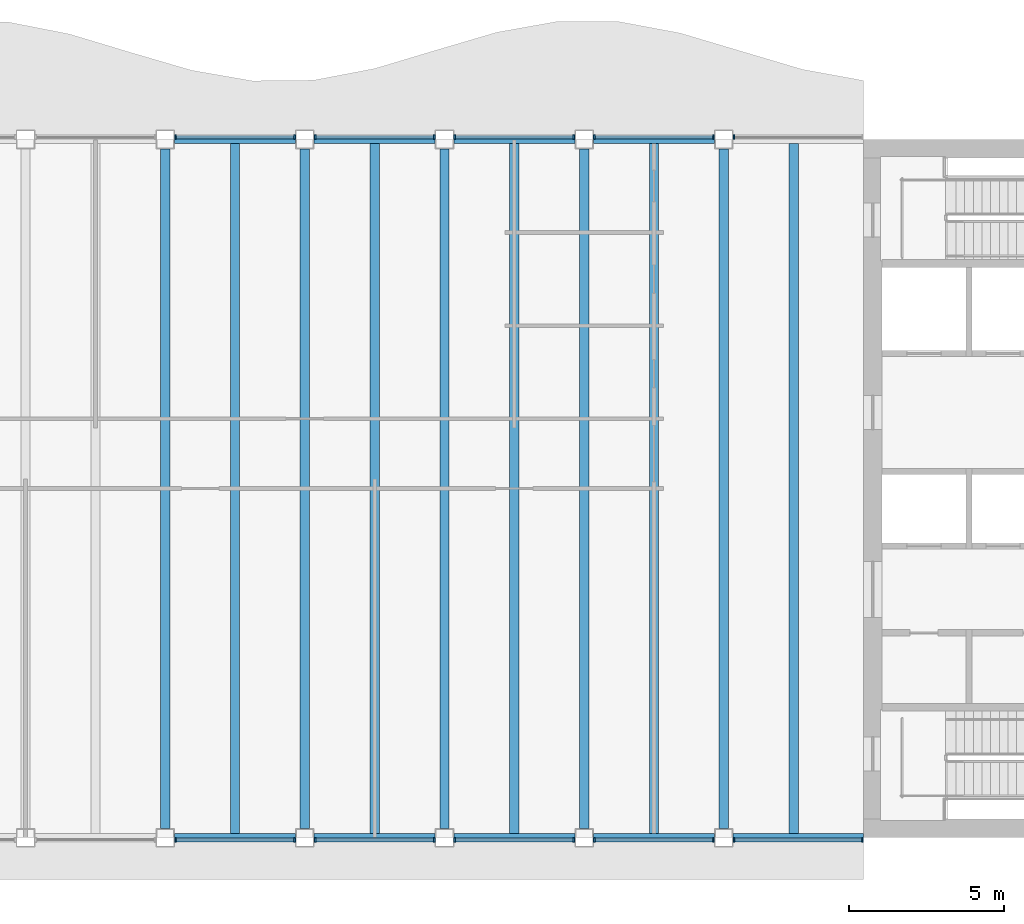
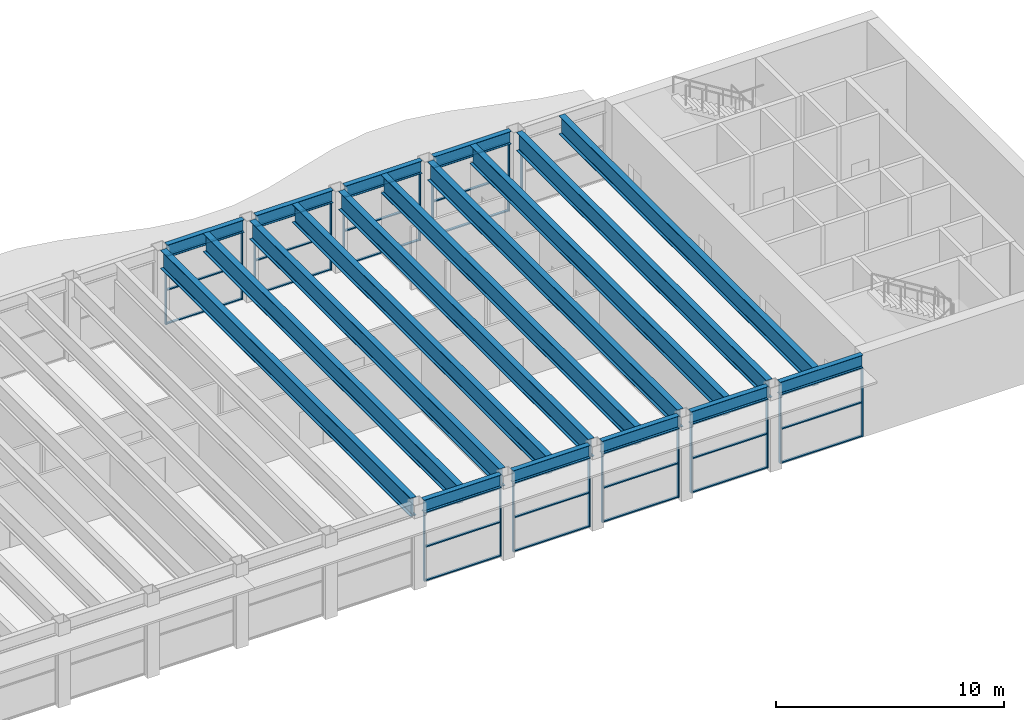
# One storey, part 5 of 15: 46 members, 19 beams, 10 elements without a shape of their own.
"""IFC4 building model written with IfcOpenShell, lengths in metres."""

from ifc_helpers import new_model, si_unit, direction, frame, origin, origin_2d, place, context, subcontext, project, spatial, rectangle, i_section, extrude, material, material_profile, profile_set, type_object, element, aggregate, save


model = new_model("IFC4")

# Units and contexts
model_context = context("Model", 3, precision=1e-05, world=origin(), true_north=direction((0.0, 1.0)))
body_context = subcontext(model_context, "Body", "Model", "MODEL_VIEW")
ifc_project = project(units=[si_unit("LENGTHUNIT", "METRE"), si_unit("AREAUNIT", "SQUARE_METRE"), si_unit("VOLUMEUNIT", "CUBIC_METRE"), si_unit("PLANEANGLEUNIT", "RADIAN"), si_unit("MASSUNIT", "GRAM", prefix="KILO")], contexts=[model_context])

# Site, building, storey
site_placement = place(None, origin())
site = spatial("IfcSite", under=ifc_project, at=site_placement, CompositionType="ELEMENT")
building_placement = place(site_placement, origin())
building = spatial("IfcBuilding", under=site, at=building_placement, Name="Sennacour Bend Tower", CompositionType="ELEMENT")
storey_placement = place(building_placement, frame((0.0, 0.0, 323.0)))
storey = spatial("IfcBuildingStorey", under=building, at=storey_placement, Name="L74", CompositionType="ELEMENT", Elevation=323.0)

# Curtain wall, members
ifc_material_1 = material(Name="Bronze anodised aluminium curtain wall with clear glass", Category="aluminium")
curtain_wall_type = type_object("IfcCurtainWallType", Name="CURTAIN WALL EXEC", PredefinedType="NOTDEFINED", material=ifc_material_1)
curtain_wall_1_placement = place(storey_placement, origin())
curtain_wall_1 = element("IfcCurtainWall", 1, at=curtain_wall_1_placement, inside=storey, type_object=curtain_wall_type, Name="Executive floor glass wall L74", PredefinedType="NOTDEFINED")
ifc_material_2 = material(Name="Aluminium 6063-T6", Category="aluminium")
ifc_material_profile_1 = material_profile(ifc_material_2, rectangle(XDim=0.14990234375, YDim=0.06005859375, at=origin_2d()), Name="Aluminium 6063-T6", Category="aluminium")
ifc_profile_set_1 = profile_set([ifc_material_profile_1], Name="Aluminium 6063-T6")
member_type_1 = type_object("IfcMemberType", Name="CW-MULLION-150X60", PredefinedType="MULLION", material=ifc_profile_set_1)
member_1_placement = place(storey_placement, frame((31.830078125, -0.074951171875, 0.0), z_axis=(0.0, 0.0, 1.0), x_axis=(0.0, 1.0, 0.0)))
member_1 = element("IfcMember", 2, at=member_1_placement, type_object=member_type_1, Name="GW3 curtain wall mullion 1", PredefinedType="MULLION", context=body_context, shape_type="SweptSolid", body=[
    extrude(rectangle(XDim=0.14990234375, YDim=0.06005859375, at=origin_2d()), origin(), (0.0, 0.0, 1.0), 3.672119140625),
])
member_2_placement = place(storey_placement, frame((35.669921875, -0.074951171875, 0.0), z_axis=(0.0, 0.0, 1.0), x_axis=(0.0, 1.0, 0.0)))
member_2 = element("IfcMember", 3, at=member_2_placement, type_object=member_type_1, Name="GW3 curtain wall mullion 2", PredefinedType="MULLION", context=body_context, shape_type="SweptSolid", body=[
    extrude(rectangle(XDim=0.14990234375, YDim=0.06005859375, at=origin_2d()), origin(), (0.0, 0.0, 1.0), 3.672119140625),
])

curtain_wall_2_placement = place(storey_placement, origin())
curtain_wall_2 = element("IfcCurtainWall", 4, at=curtain_wall_2_placement, inside=storey, type_object=curtain_wall_type, Name="Executive floor glass wall L74", PredefinedType="NOTDEFINED")
member_3_placement = place(storey_placement, frame((36.330078125, -0.074951171875, 0.0), z_axis=(0.0, 0.0, 1.0), x_axis=(0.0, 1.0, 0.0)))
member_3 = element("IfcMember", 5, at=member_3_placement, type_object=member_type_1, Name="GW3 curtain wall mullion 1", PredefinedType="MULLION", context=body_context, shape_type="SweptSolid", body=[
    extrude(rectangle(XDim=0.14990234375, YDim=0.06005859375, at=origin_2d()), origin(), (0.0, 0.0, 1.0), 3.672119140625),
])
member_4_placement = place(storey_placement, frame((40.169921875, -0.074951171875, 0.0), z_axis=(0.0, 0.0, 1.0), x_axis=(0.0, 1.0, 0.0)))
member_4 = element("IfcMember", 6, at=member_4_placement, type_object=member_type_1, Name="GW3 curtain wall mullion 2", PredefinedType="MULLION", context=body_context, shape_type="SweptSolid", body=[
    extrude(rectangle(XDim=0.14990234375, YDim=0.06005859375, at=origin_2d()), origin(), (0.0, 0.0, 1.0), 3.672119140625),
])

curtain_wall_3_placement = place(storey_placement, origin())
curtain_wall_3 = element("IfcCurtainWall", 7, at=curtain_wall_3_placement, inside=storey, type_object=curtain_wall_type, Name="Executive floor glass wall L74", PredefinedType="NOTDEFINED")
member_5_placement = place(storey_placement, frame((40.830078125, -0.074951171875, 0.0), z_axis=(0.0, 0.0, 1.0), x_axis=(0.0, 1.0, 0.0)))
member_5 = element("IfcMember", 8, at=member_5_placement, type_object=member_type_1, Name="GW3 curtain wall mullion 1", PredefinedType="MULLION", context=body_context, shape_type="SweptSolid", body=[
    extrude(rectangle(XDim=0.14990234375, YDim=0.06005859375, at=origin_2d()), origin(), (0.0, 0.0, 1.0), 3.672119140625),
])
member_6_placement = place(storey_placement, frame((44.669921875, -0.074951171875, 0.0), z_axis=(0.0, 0.0, 1.0), x_axis=(0.0, 1.0, 0.0)))
member_6 = element("IfcMember", 9, at=member_6_placement, type_object=member_type_1, Name="GW3 curtain wall mullion 2", PredefinedType="MULLION", context=body_context, shape_type="SweptSolid", body=[
    extrude(rectangle(XDim=0.14990234375, YDim=0.06005859375, at=origin_2d()), origin(), (0.0, 0.0, 1.0), 3.672119140625),
])

curtain_wall_4_placement = place(storey_placement, origin())
curtain_wall_4 = element("IfcCurtainWall", 10, at=curtain_wall_4_placement, inside=storey, type_object=curtain_wall_type, Name="Executive floor glass wall L74", PredefinedType="NOTDEFINED")
member_7_placement = place(storey_placement, frame((45.330078125, -0.074951171875, 0.0), z_axis=(0.0, 0.0, 1.0), x_axis=(0.0, 1.0, 0.0)))
member_7 = element("IfcMember", 11, at=member_7_placement, type_object=member_type_1, Name="GW3 curtain wall mullion 1", PredefinedType="MULLION", context=body_context, shape_type="SweptSolid", body=[
    extrude(rectangle(XDim=0.14990234375, YDim=0.06005859375, at=origin_2d()), origin(), (0.0, 0.0, 1.0), 3.672119140625),
])
member_8_placement = place(storey_placement, frame((49.169921875, -0.074951171875, 0.0), z_axis=(0.0, 0.0, 1.0), x_axis=(0.0, 1.0, 0.0)))
member_8 = element("IfcMember", 12, at=member_8_placement, type_object=member_type_1, Name="GW3 curtain wall mullion 2", PredefinedType="MULLION", context=body_context, shape_type="SweptSolid", body=[
    extrude(rectangle(XDim=0.14990234375, YDim=0.06005859375, at=origin_2d()), origin(), (0.0, 0.0, 1.0), 3.672119140625),
])

curtain_wall_5_placement = place(storey_placement, origin())
curtain_wall_5 = element("IfcCurtainWall", 13, at=curtain_wall_5_placement, inside=storey, type_object=curtain_wall_type, Name="Executive floor glass wall L74", PredefinedType="NOTDEFINED")
member_9_placement = place(storey_placement, frame((49.830078125, -0.074951171875, 0.0), z_axis=(0.0, 0.0, 1.0), x_axis=(0.0, 1.0, 0.0)))
member_9 = element("IfcMember", 14, at=member_9_placement, type_object=member_type_1, Name="GW3 curtain wall mullion 1", PredefinedType="MULLION", context=body_context, shape_type="SweptSolid", body=[
    extrude(rectangle(XDim=0.14990234375, YDim=0.06005859375, at=origin_2d()), origin(), (0.0, 0.0, 1.0), 3.672119140625),
])
member_10_placement = place(storey_placement, frame((53.969970703125, -0.074951171875, 0.0), z_axis=(0.0, 0.0, 1.0), x_axis=(0.0, 1.0, 0.0)))
member_10 = element("IfcMember", 15, at=member_10_placement, type_object=member_type_1, Name="GW3 curtain wall mullion 2", PredefinedType="MULLION", context=body_context, shape_type="SweptSolid", body=[
    extrude(rectangle(XDim=0.14990234375, YDim=0.06005859375, at=origin_2d()), origin(), (0.0, 0.0, 1.0), 3.672119140625),
])

# Curtain wall, member
curtain_wall_6_placement = place(storey_placement, origin())
curtain_wall_6 = element("IfcCurtainWall", 16, at=curtain_wall_6_placement, inside=storey, type_object=curtain_wall_type, Name="Executive floor glass wall L74", PredefinedType="NOTDEFINED")
member_11_placement = place(storey_placement, frame((49.830078125, 22.574951171875, 0.0), z_axis=(0.0, 0.0, 1.0), x_axis=(0.0, -1.0, 0.0)))
member_11 = element("IfcMember", 17, at=member_11_placement, type_object=member_type_1, Name="GW3 curtain wall mullion 2", PredefinedType="MULLION", context=body_context, shape_type="SweptSolid", body=[
    extrude(rectangle(XDim=0.14990234375, YDim=0.06005859375, at=origin_2d()), origin(), (0.0, 0.0, 1.0), 3.672119140625),
])
aggregate(curtain_wall_6, [member_11])

# Curtain wall, members
curtain_wall_7_placement = place(storey_placement, origin())
curtain_wall_7 = element("IfcCurtainWall", 18, at=curtain_wall_7_placement, inside=storey, type_object=curtain_wall_type, Name="Executive floor glass wall L74", PredefinedType="NOTDEFINED")
member_12_placement = place(storey_placement, frame((49.169921875, 22.574951171875, 0.0), z_axis=(0.0, 0.0, 1.0), x_axis=(0.0, -1.0, 0.0)))
member_12 = element("IfcMember", 19, at=member_12_placement, type_object=member_type_1, Name="GW3 curtain wall mullion 1", PredefinedType="MULLION", context=body_context, shape_type="SweptSolid", body=[
    extrude(rectangle(XDim=0.14990234375, YDim=0.06005859375, at=origin_2d()), origin(), (0.0, 0.0, 1.0), 3.672119140625),
])
member_13_placement = place(storey_placement, frame((45.330078125, 22.574951171875, 0.0), z_axis=(0.0, 0.0, 1.0), x_axis=(0.0, -1.0, 0.0)))
member_13 = element("IfcMember", 20, at=member_13_placement, type_object=member_type_1, Name="GW3 curtain wall mullion 2", PredefinedType="MULLION", context=body_context, shape_type="SweptSolid", body=[
    extrude(rectangle(XDim=0.14990234375, YDim=0.06005859375, at=origin_2d()), origin(), (0.0, 0.0, 1.0), 3.672119140625),
])

curtain_wall_8_placement = place(storey_placement, origin())
curtain_wall_8 = element("IfcCurtainWall", 21, at=curtain_wall_8_placement, inside=storey, type_object=curtain_wall_type, Name="Executive floor glass wall L74", PredefinedType="NOTDEFINED")
member_14_placement = place(storey_placement, frame((44.669921875, 22.574951171875, 0.0), z_axis=(0.0, 0.0, 1.0), x_axis=(0.0, -1.0, 0.0)))
member_14 = element("IfcMember", 22, at=member_14_placement, type_object=member_type_1, Name="GW3 curtain wall mullion 1", PredefinedType="MULLION", context=body_context, shape_type="SweptSolid", body=[
    extrude(rectangle(XDim=0.14990234375, YDim=0.06005859375, at=origin_2d()), origin(), (0.0, 0.0, 1.0), 3.672119140625),
])
member_15_placement = place(storey_placement, frame((40.830078125, 22.574951171875, 0.0), z_axis=(0.0, 0.0, 1.0), x_axis=(0.0, -1.0, 0.0)))
member_15 = element("IfcMember", 23, at=member_15_placement, type_object=member_type_1, Name="GW3 curtain wall mullion 2", PredefinedType="MULLION", context=body_context, shape_type="SweptSolid", body=[
    extrude(rectangle(XDim=0.14990234375, YDim=0.06005859375, at=origin_2d()), origin(), (0.0, 0.0, 1.0), 3.672119140625),
])

curtain_wall_9_placement = place(storey_placement, origin())
curtain_wall_9 = element("IfcCurtainWall", 24, at=curtain_wall_9_placement, inside=storey, type_object=curtain_wall_type, Name="Executive floor glass wall L74", PredefinedType="NOTDEFINED")
member_16_placement = place(storey_placement, frame((40.169921875, 22.574951171875, 0.0), z_axis=(0.0, 0.0, 1.0), x_axis=(0.0, -1.0, 0.0)))
member_16 = element("IfcMember", 25, at=member_16_placement, type_object=member_type_1, Name="GW3 curtain wall mullion 1", PredefinedType="MULLION", context=body_context, shape_type="SweptSolid", body=[
    extrude(rectangle(XDim=0.14990234375, YDim=0.06005859375, at=origin_2d()), origin(), (0.0, 0.0, 1.0), 3.672119140625),
])
member_17_placement = place(storey_placement, frame((36.330078125, 22.574951171875, 0.0), z_axis=(0.0, 0.0, 1.0), x_axis=(0.0, -1.0, 0.0)))
member_17 = element("IfcMember", 26, at=member_17_placement, type_object=member_type_1, Name="GW3 curtain wall mullion 2", PredefinedType="MULLION", context=body_context, shape_type="SweptSolid", body=[
    extrude(rectangle(XDim=0.14990234375, YDim=0.06005859375, at=origin_2d()), origin(), (0.0, 0.0, 1.0), 3.672119140625),
])

curtain_wall_10_placement = place(storey_placement, origin())
curtain_wall_10 = element("IfcCurtainWall", 27, at=curtain_wall_10_placement, inside=storey, type_object=curtain_wall_type, Name="Executive floor glass wall L74", PredefinedType="NOTDEFINED")
member_18_placement = place(storey_placement, frame((35.669921875, 22.574951171875, 0.0), z_axis=(0.0, 0.0, 1.0), x_axis=(0.0, -1.0, 0.0)))
member_18 = element("IfcMember", 28, at=member_18_placement, type_object=member_type_1, Name="GW3 curtain wall mullion 1", PredefinedType="MULLION", context=body_context, shape_type="SweptSolid", body=[
    extrude(rectangle(XDim=0.14990234375, YDim=0.06005859375, at=origin_2d()), origin(), (0.0, 0.0, 1.0), 3.672119140625),
])
member_19_placement = place(storey_placement, frame((31.830078125, 22.574951171875, 0.0), z_axis=(0.0, 0.0, 1.0), x_axis=(0.0, -1.0, 0.0)))
member_19 = element("IfcMember", 29, at=member_19_placement, type_object=member_type_1, Name="GW3 curtain wall mullion 2", PredefinedType="MULLION", context=body_context, shape_type="SweptSolid", body=[
    extrude(rectangle(XDim=0.14990234375, YDim=0.06005859375, at=origin_2d()), origin(), (0.0, 0.0, 1.0), 3.672119140625),
])

# Member
ifc_material_profile_2 = material_profile(ifc_material_2, rectangle(XDim=0.1201171875, YDim=0.06005859375, at=origin_2d()), Name="Aluminium 6063-T6", Category="aluminium")
ifc_profile_set_2 = profile_set([ifc_material_profile_2], Name="Aluminium 6063-T6")
member_type_2 = type_object("IfcMemberType", Name="CW-TRANSOM-120X60", PredefinedType="USERDEFINED", material=ifc_profile_set_2)
member_20_placement = place(storey_placement, frame((31.860107421875, -0.074951171875, 0.030029296875), z_axis=(1.0, 0.0, 0.0), x_axis=(0.0, 1.0, 0.0)))
member_20 = element("IfcMember", 30, at=member_20_placement, type_object=member_type_2, Name="GW3 curtain wall transom 1.1", ObjectType="TRANSOM", PredefinedType="USERDEFINED", context=body_context, shape_type="SweptSolid", body=[
    extrude(rectangle(XDim=0.1201171875, YDim=0.06005859375, at=origin_2d()), origin(), (0.0, 0.0, 1.0), 3.77978515625),
])

member_21_placement = place(storey_placement, frame((31.860107421875, -0.074951171875, 1.8359375), z_axis=(1.0, 0.0, 0.0), x_axis=(0.0, 1.0, 0.0)))
member_21 = element("IfcMember", 31, at=member_21_placement, type_object=member_type_2, Name="GW3 curtain wall transom 1.2", ObjectType="TRANSOM", PredefinedType="USERDEFINED", context=body_context, shape_type="SweptSolid", body=[
    extrude(rectangle(XDim=0.1201171875, YDim=0.06005859375, at=origin_2d()), origin(), (0.0, 0.0, 1.0), 3.77978515625),
])

member_22_placement = place(storey_placement, frame((31.860107421875, -0.074951171875, 3.64208984375), z_axis=(1.0, 0.0, 0.0), x_axis=(0.0, 1.0, 0.0)))
member_22 = element("IfcMember", 32, at=member_22_placement, type_object=member_type_2, Name="GW3 curtain wall transom 1.3", ObjectType="TRANSOM", PredefinedType="USERDEFINED", context=body_context, shape_type="SweptSolid", body=[
    extrude(rectangle(XDim=0.1201171875, YDim=0.06005859375, at=origin_2d()), origin(), (0.0, 0.0, 1.0), 3.77978515625),
])

aggregate(curtain_wall_1, [member_1, member_2, member_20, member_21, member_22])

member_23_placement = place(storey_placement, frame((36.360107421875, -0.074951171875, 0.030029296875), z_axis=(1.0, 0.0, 0.0), x_axis=(0.0, 1.0, 0.0)))
member_23 = element("IfcMember", 33, at=member_23_placement, type_object=member_type_2, Name="GW3 curtain wall transom 1.1", ObjectType="TRANSOM", PredefinedType="USERDEFINED", context=body_context, shape_type="SweptSolid", body=[
    extrude(rectangle(XDim=0.1201171875, YDim=0.06005859375, at=origin_2d()), origin(), (0.0, 0.0, 1.0), 3.77978515625),
])

member_24_placement = place(storey_placement, frame((36.360107421875, -0.074951171875, 1.8359375), z_axis=(1.0, 0.0, 0.0), x_axis=(0.0, 1.0, 0.0)))
member_24 = element("IfcMember", 34, at=member_24_placement, type_object=member_type_2, Name="GW3 curtain wall transom 1.2", ObjectType="TRANSOM", PredefinedType="USERDEFINED", context=body_context, shape_type="SweptSolid", body=[
    extrude(rectangle(XDim=0.1201171875, YDim=0.06005859375, at=origin_2d()), origin(), (0.0, 0.0, 1.0), 3.77978515625),
])

member_25_placement = place(storey_placement, frame((36.360107421875, -0.074951171875, 3.64208984375), z_axis=(1.0, 0.0, 0.0), x_axis=(0.0, 1.0, 0.0)))
member_25 = element("IfcMember", 35, at=member_25_placement, type_object=member_type_2, Name="GW3 curtain wall transom 1.3", ObjectType="TRANSOM", PredefinedType="USERDEFINED", context=body_context, shape_type="SweptSolid", body=[
    extrude(rectangle(XDim=0.1201171875, YDim=0.06005859375, at=origin_2d()), origin(), (0.0, 0.0, 1.0), 3.77978515625),
])

aggregate(curtain_wall_2, [member_3, member_4, member_23, member_24, member_25])

member_26_placement = place(storey_placement, frame((40.860107421875, -0.074951171875, 0.030029296875), z_axis=(1.0, 0.0, 0.0), x_axis=(0.0, 1.0, 0.0)))
member_26 = element("IfcMember", 36, at=member_26_placement, type_object=member_type_2, Name="GW3 curtain wall transom 1.1", ObjectType="TRANSOM", PredefinedType="USERDEFINED", context=body_context, shape_type="SweptSolid", body=[
    extrude(rectangle(XDim=0.1201171875, YDim=0.06005859375, at=origin_2d()), origin(), (0.0, 0.0, 1.0), 3.77978515625),
])

member_27_placement = place(storey_placement, frame((40.860107421875, -0.074951171875, 1.8359375), z_axis=(1.0, 0.0, 0.0), x_axis=(0.0, 1.0, 0.0)))
member_27 = element("IfcMember", 37, at=member_27_placement, type_object=member_type_2, Name="GW3 curtain wall transom 1.2", ObjectType="TRANSOM", PredefinedType="USERDEFINED", context=body_context, shape_type="SweptSolid", body=[
    extrude(rectangle(XDim=0.1201171875, YDim=0.06005859375, at=origin_2d()), origin(), (0.0, 0.0, 1.0), 3.77978515625),
])

member_28_placement = place(storey_placement, frame((40.860107421875, -0.074951171875, 3.64208984375), z_axis=(1.0, 0.0, 0.0), x_axis=(0.0, 1.0, 0.0)))
member_28 = element("IfcMember", 38, at=member_28_placement, type_object=member_type_2, Name="GW3 curtain wall transom 1.3", ObjectType="TRANSOM", PredefinedType="USERDEFINED", context=body_context, shape_type="SweptSolid", body=[
    extrude(rectangle(XDim=0.1201171875, YDim=0.06005859375, at=origin_2d()), origin(), (0.0, 0.0, 1.0), 3.77978515625),
])

aggregate(curtain_wall_3, [member_5, member_6, member_26, member_27, member_28])

member_29_placement = place(storey_placement, frame((45.360107421875, -0.074951171875, 0.030029296875), z_axis=(1.0, 0.0, 0.0), x_axis=(0.0, 1.0, 0.0)))
member_29 = element("IfcMember", 39, at=member_29_placement, type_object=member_type_2, Name="GW3 curtain wall transom 1.1", ObjectType="TRANSOM", PredefinedType="USERDEFINED", context=body_context, shape_type="SweptSolid", body=[
    extrude(rectangle(XDim=0.1201171875, YDim=0.06005859375, at=origin_2d()), origin(), (0.0, 0.0, 1.0), 3.77978515625),
])

member_30_placement = place(storey_placement, frame((45.360107421875, -0.074951171875, 1.8359375), z_axis=(1.0, 0.0, 0.0), x_axis=(0.0, 1.0, 0.0)))
member_30 = element("IfcMember", 40, at=member_30_placement, type_object=member_type_2, Name="GW3 curtain wall transom 1.2", ObjectType="TRANSOM", PredefinedType="USERDEFINED", context=body_context, shape_type="SweptSolid", body=[
    extrude(rectangle(XDim=0.1201171875, YDim=0.06005859375, at=origin_2d()), origin(), (0.0, 0.0, 1.0), 3.77978515625),
])

member_31_placement = place(storey_placement, frame((45.360107421875, -0.074951171875, 3.64208984375), z_axis=(1.0, 0.0, 0.0), x_axis=(0.0, 1.0, 0.0)))
member_31 = element("IfcMember", 41, at=member_31_placement, type_object=member_type_2, Name="GW3 curtain wall transom 1.3", ObjectType="TRANSOM", PredefinedType="USERDEFINED", context=body_context, shape_type="SweptSolid", body=[
    extrude(rectangle(XDim=0.1201171875, YDim=0.06005859375, at=origin_2d()), origin(), (0.0, 0.0, 1.0), 3.77978515625),
])

aggregate(curtain_wall_4, [member_7, member_8, member_29, member_30, member_31])

member_32_placement = place(storey_placement, frame((49.860107421875, -0.074951171875, 0.030029296875), z_axis=(1.0, 0.0, 0.0), x_axis=(0.0, 1.0, 0.0)))
member_32 = element("IfcMember", 42, at=member_32_placement, type_object=member_type_2, Name="GW3 curtain wall transom 1.1", ObjectType="TRANSOM", PredefinedType="USERDEFINED", context=body_context, shape_type="SweptSolid", body=[
    extrude(rectangle(XDim=0.1201171875, YDim=0.06005859375, at=origin_2d()), origin(), (0.0, 0.0, 1.0), 4.079833984375),
])

member_33_placement = place(storey_placement, frame((49.860107421875, -0.074951171875, 1.8359375), z_axis=(1.0, 0.0, 0.0), x_axis=(0.0, 1.0, 0.0)))
member_33 = element("IfcMember", 43, at=member_33_placement, type_object=member_type_2, Name="GW3 curtain wall transom 1.2", ObjectType="TRANSOM", PredefinedType="USERDEFINED", context=body_context, shape_type="SweptSolid", body=[
    extrude(rectangle(XDim=0.1201171875, YDim=0.06005859375, at=origin_2d()), origin(), (0.0, 0.0, 1.0), 4.079833984375),
])

member_34_placement = place(storey_placement, frame((49.860107421875, -0.074951171875, 3.64208984375), z_axis=(1.0, 0.0, 0.0), x_axis=(0.0, 1.0, 0.0)))
member_34 = element("IfcMember", 44, at=member_34_placement, type_object=member_type_2, Name="GW3 curtain wall transom 1.3", ObjectType="TRANSOM", PredefinedType="USERDEFINED", context=body_context, shape_type="SweptSolid", body=[
    extrude(rectangle(XDim=0.1201171875, YDim=0.06005859375, at=origin_2d()), origin(), (0.0, 0.0, 1.0), 4.079833984375),
])

aggregate(curtain_wall_5, [member_9, member_10, member_32, member_33, member_34])

member_35_placement = place(storey_placement, frame((49.139892578125, 22.574951171875, 0.030029296875), z_axis=(-1.0, 0.0, 0.0), x_axis=(0.0, -1.0, 0.0)))
member_35 = element("IfcMember", 45, at=member_35_placement, type_object=member_type_2, Name="GW3 curtain wall transom 1.1", ObjectType="TRANSOM", PredefinedType="USERDEFINED", context=body_context, shape_type="SweptSolid", body=[
    extrude(rectangle(XDim=0.1201171875, YDim=0.06005859375, at=origin_2d()), origin(), (0.0, 0.0, 1.0), 3.77978515625),
])

member_36_placement = place(storey_placement, frame((49.139892578125, 22.574951171875, 1.8359375), z_axis=(-1.0, 0.0, 0.0), x_axis=(0.0, -1.0, 0.0)))
member_36 = element("IfcMember", 46, at=member_36_placement, type_object=member_type_2, Name="GW3 curtain wall transom 1.2", ObjectType="TRANSOM", PredefinedType="USERDEFINED", context=body_context, shape_type="SweptSolid", body=[
    extrude(rectangle(XDim=0.1201171875, YDim=0.06005859375, at=origin_2d()), origin(), (0.0, 0.0, 1.0), 3.77978515625),
])

member_37_placement = place(storey_placement, frame((49.139892578125, 22.574951171875, 3.64208984375), z_axis=(-1.0, 0.0, 0.0), x_axis=(0.0, -1.0, 0.0)))
member_37 = element("IfcMember", 47, at=member_37_placement, type_object=member_type_2, Name="GW3 curtain wall transom 1.3", ObjectType="TRANSOM", PredefinedType="USERDEFINED", context=body_context, shape_type="SweptSolid", body=[
    extrude(rectangle(XDim=0.1201171875, YDim=0.06005859375, at=origin_2d()), origin(), (0.0, 0.0, 1.0), 3.77978515625),
])

aggregate(curtain_wall_7, [member_12, member_13, member_35, member_36, member_37])

member_38_placement = place(storey_placement, frame((44.639892578125, 22.574951171875, 0.030029296875), z_axis=(-1.0, 0.0, 0.0), x_axis=(0.0, -1.0, 0.0)))
member_38 = element("IfcMember", 48, at=member_38_placement, type_object=member_type_2, Name="GW3 curtain wall transom 1.1", ObjectType="TRANSOM", PredefinedType="USERDEFINED", context=body_context, shape_type="SweptSolid", body=[
    extrude(rectangle(XDim=0.1201171875, YDim=0.06005859375, at=origin_2d()), origin(), (0.0, 0.0, 1.0), 3.77978515625),
])

member_39_placement = place(storey_placement, frame((44.639892578125, 22.574951171875, 1.8359375), z_axis=(-1.0, 0.0, 0.0), x_axis=(0.0, -1.0, 0.0)))
member_39 = element("IfcMember", 49, at=member_39_placement, type_object=member_type_2, Name="GW3 curtain wall transom 1.2", ObjectType="TRANSOM", PredefinedType="USERDEFINED", context=body_context, shape_type="SweptSolid", body=[
    extrude(rectangle(XDim=0.1201171875, YDim=0.06005859375, at=origin_2d()), origin(), (0.0, 0.0, 1.0), 3.77978515625),
])

member_40_placement = place(storey_placement, frame((44.639892578125, 22.574951171875, 3.64208984375), z_axis=(-1.0, 0.0, 0.0), x_axis=(0.0, -1.0, 0.0)))
member_40 = element("IfcMember", 50, at=member_40_placement, type_object=member_type_2, Name="GW3 curtain wall transom 1.3", ObjectType="TRANSOM", PredefinedType="USERDEFINED", context=body_context, shape_type="SweptSolid", body=[
    extrude(rectangle(XDim=0.1201171875, YDim=0.06005859375, at=origin_2d()), origin(), (0.0, 0.0, 1.0), 3.77978515625),
])

aggregate(curtain_wall_8, [member_14, member_15, member_38, member_39, member_40])

member_41_placement = place(storey_placement, frame((40.139892578125, 22.574951171875, 0.030029296875), z_axis=(-1.0, 0.0, 0.0), x_axis=(0.0, -1.0, 0.0)))
member_41 = element("IfcMember", 51, at=member_41_placement, type_object=member_type_2, Name="GW3 curtain wall transom 1.1", ObjectType="TRANSOM", PredefinedType="USERDEFINED", context=body_context, shape_type="SweptSolid", body=[
    extrude(rectangle(XDim=0.1201171875, YDim=0.06005859375, at=origin_2d()), origin(), (0.0, 0.0, 1.0), 3.77978515625),
])

member_42_placement = place(storey_placement, frame((40.139892578125, 22.574951171875, 1.8359375), z_axis=(-1.0, 0.0, 0.0), x_axis=(0.0, -1.0, 0.0)))
member_42 = element("IfcMember", 52, at=member_42_placement, type_object=member_type_2, Name="GW3 curtain wall transom 1.2", ObjectType="TRANSOM", PredefinedType="USERDEFINED", context=body_context, shape_type="SweptSolid", body=[
    extrude(rectangle(XDim=0.1201171875, YDim=0.06005859375, at=origin_2d()), origin(), (0.0, 0.0, 1.0), 3.77978515625),
])

member_43_placement = place(storey_placement, frame((40.139892578125, 22.574951171875, 3.64208984375), z_axis=(-1.0, 0.0, 0.0), x_axis=(0.0, -1.0, 0.0)))
member_43 = element("IfcMember", 53, at=member_43_placement, type_object=member_type_2, Name="GW3 curtain wall transom 1.3", ObjectType="TRANSOM", PredefinedType="USERDEFINED", context=body_context, shape_type="SweptSolid", body=[
    extrude(rectangle(XDim=0.1201171875, YDim=0.06005859375, at=origin_2d()), origin(), (0.0, 0.0, 1.0), 3.77978515625),
])

aggregate(curtain_wall_9, [member_16, member_17, member_41, member_42, member_43])

member_44_placement = place(storey_placement, frame((35.639892578125, 22.574951171875, 0.030029296875), z_axis=(-1.0, 0.0, 0.0), x_axis=(0.0, -1.0, 0.0)))
member_44 = element("IfcMember", 54, at=member_44_placement, type_object=member_type_2, Name="GW3 curtain wall transom 1.1", ObjectType="TRANSOM", PredefinedType="USERDEFINED", context=body_context, shape_type="SweptSolid", body=[
    extrude(rectangle(XDim=0.1201171875, YDim=0.06005859375, at=origin_2d()), origin(), (0.0, 0.0, 1.0), 3.77978515625),
])

member_45_placement = place(storey_placement, frame((35.639892578125, 22.574951171875, 1.8359375), z_axis=(-1.0, 0.0, 0.0), x_axis=(0.0, -1.0, 0.0)))
member_45 = element("IfcMember", 55, at=member_45_placement, type_object=member_type_2, Name="GW3 curtain wall transom 1.2", ObjectType="TRANSOM", PredefinedType="USERDEFINED", context=body_context, shape_type="SweptSolid", body=[
    extrude(rectangle(XDim=0.1201171875, YDim=0.06005859375, at=origin_2d()), origin(), (0.0, 0.0, 1.0), 3.77978515625),
])

member_46_placement = place(storey_placement, frame((35.639892578125, 22.574951171875, 3.64208984375), z_axis=(-1.0, 0.0, 0.0), x_axis=(0.0, -1.0, 0.0)))
member_46 = element("IfcMember", 56, at=member_46_placement, type_object=member_type_2, Name="GW3 curtain wall transom 1.3", ObjectType="TRANSOM", PredefinedType="USERDEFINED", context=body_context, shape_type="SweptSolid", body=[
    extrude(rectangle(XDim=0.1201171875, YDim=0.06005859375, at=origin_2d()), origin(), (0.0, 0.0, 1.0), 3.77978515625),
])

aggregate(curtain_wall_10, [member_18, member_19, member_44, member_45, member_46])

# Beams
ifc_material_3 = material(Name="Steel ASTM A992 Grade 50", Category="steel")
ifc_material_profile_3 = material_profile(ifc_material_3, i_section(OverallWidth=0.300048828125, OverallDepth=0.990966796875, WebThickness=0.0166015625, FlangeThickness=0.030517578125, FilletRadius=0.030029296875, at=origin_2d()), Name="Steel ASTM A992 Grade 50", Category="steel")
ifc_profile_set_3 = profile_set([ifc_material_profile_3], Name="Steel ASTM A992 Grade 50")
beam_type_1 = type_object("IfcBeamType", Name="Floor beam W1000X272", PredefinedType="BEAM", material=ifc_profile_set_3)
beam_1_placement = place(storey_placement, frame((31.5, 0.300048828125, 3.8544921875), z_axis=(0.0, 1.0, 0.0), x_axis=(-1.0, 0.0, 0.0)))
element("IfcBeam", 57, at=beam_1_placement, inside=storey, type_object=beam_type_1, Name="Floor beam FBM3 L75-014", PredefinedType="BEAM", context=body_context, shape_type="SweptSolid", body=[
    extrude(i_section(OverallWidth=0.300048828125, OverallDepth=0.990966796875, WebThickness=0.0166015625, FlangeThickness=0.030517578125, FilletRadius=0.030029296875, at=origin_2d()), origin(), (0.0, 0.0, 1.0), 21.89990234375),
])
beam_2_placement = place(storey_placement, frame((33.75, 0.126953125, 3.8544921875), z_axis=(0.0, 1.0, 0.0), x_axis=(-1.0, 0.0, 0.0)))
element("IfcBeam", 58, at=beam_2_placement, inside=storey, type_object=beam_type_1, Name="Floor beam FBM3 L75-015", PredefinedType="BEAM", context=body_context, shape_type="SweptSolid", body=[
    extrude(i_section(OverallWidth=0.300048828125, OverallDepth=0.990966796875, WebThickness=0.0166015625, FlangeThickness=0.030517578125, FilletRadius=0.030029296875, at=origin_2d()), origin(), (0.0, 0.0, 1.0), 22.24609375),
])
beam_3_placement = place(storey_placement, frame((36.0, 0.300048828125, 3.8544921875), z_axis=(0.0, 1.0, 0.0), x_axis=(-1.0, 0.0, 0.0)))
element("IfcBeam", 59, at=beam_3_placement, inside=storey, type_object=beam_type_1, Name="Floor beam FBM3 L75-016", PredefinedType="BEAM", context=body_context, shape_type="SweptSolid", body=[
    extrude(i_section(OverallWidth=0.300048828125, OverallDepth=0.990966796875, WebThickness=0.0166015625, FlangeThickness=0.030517578125, FilletRadius=0.030029296875, at=origin_2d()), origin(), (0.0, 0.0, 1.0), 21.89990234375),
])
beam_4_placement = place(storey_placement, frame((38.25, 0.126953125, 3.8544921875), z_axis=(0.0, 1.0, 0.0), x_axis=(-1.0, 0.0, 0.0)))
element("IfcBeam", 60, at=beam_4_placement, inside=storey, type_object=beam_type_1, Name="Floor beam FBM3 L75-017", PredefinedType="BEAM", context=body_context, shape_type="SweptSolid", body=[
    extrude(i_section(OverallWidth=0.300048828125, OverallDepth=0.990966796875, WebThickness=0.0166015625, FlangeThickness=0.030517578125, FilletRadius=0.030029296875, at=origin_2d()), origin(), (0.0, 0.0, 1.0), 22.24609375),
])
beam_5_placement = place(storey_placement, frame((40.5, 0.300048828125, 3.8544921875), z_axis=(0.0, 1.0, 0.0), x_axis=(-1.0, 0.0, 0.0)))
element("IfcBeam", 61, at=beam_5_placement, inside=storey, type_object=beam_type_1, Name="Floor beam FBM3 L75-018", PredefinedType="BEAM", context=body_context, shape_type="SweptSolid", body=[
    extrude(i_section(OverallWidth=0.300048828125, OverallDepth=0.990966796875, WebThickness=0.0166015625, FlangeThickness=0.030517578125, FilletRadius=0.030029296875, at=origin_2d()), origin(), (0.0, 0.0, 1.0), 21.89990234375),
])
beam_6_placement = place(storey_placement, frame((42.75, 0.126953125, 3.8544921875), z_axis=(0.0, 1.0, 0.0), x_axis=(-1.0, 0.0, 0.0)))
element("IfcBeam", 62, at=beam_6_placement, inside=storey, type_object=beam_type_1, Name="Floor beam FBM3 L75-019", PredefinedType="BEAM", context=body_context, shape_type="SweptSolid", body=[
    extrude(i_section(OverallWidth=0.300048828125, OverallDepth=0.990966796875, WebThickness=0.0166015625, FlangeThickness=0.030517578125, FilletRadius=0.030029296875, at=origin_2d()), origin(), (0.0, 0.0, 1.0), 22.24609375),
])
beam_7_placement = place(storey_placement, frame((45.0, 0.300048828125, 3.8544921875), z_axis=(0.0, 1.0, 0.0), x_axis=(-1.0, 0.0, 0.0)))
element("IfcBeam", 63, at=beam_7_placement, inside=storey, type_object=beam_type_1, Name="Floor beam FBM3 L75-020", PredefinedType="BEAM", context=body_context, shape_type="SweptSolid", body=[
    extrude(i_section(OverallWidth=0.300048828125, OverallDepth=0.990966796875, WebThickness=0.0166015625, FlangeThickness=0.030517578125, FilletRadius=0.030029296875, at=origin_2d()), origin(), (0.0, 0.0, 1.0), 21.89990234375),
])
beam_8_placement = place(storey_placement, frame((47.25, 0.126953125, 3.8544921875), z_axis=(0.0, 1.0, 0.0), x_axis=(-1.0, 0.0, 0.0)))
element("IfcBeam", 64, at=beam_8_placement, inside=storey, type_object=beam_type_1, Name="Floor beam FBM3 L75-021", PredefinedType="BEAM", context=body_context, shape_type="SweptSolid", body=[
    extrude(i_section(OverallWidth=0.300048828125, OverallDepth=0.990966796875, WebThickness=0.0166015625, FlangeThickness=0.030517578125, FilletRadius=0.030029296875, at=origin_2d()), origin(), (0.0, 0.0, 1.0), 22.24609375),
])
beam_9_placement = place(storey_placement, frame((49.5, 0.300048828125, 3.8544921875), z_axis=(0.0, 1.0, 0.0), x_axis=(-1.0, 0.0, 0.0)))
element("IfcBeam", 65, at=beam_9_placement, inside=storey, type_object=beam_type_1, Name="Floor beam FBM3 L75-022", PredefinedType="BEAM", context=body_context, shape_type="SweptSolid", body=[
    extrude(i_section(OverallWidth=0.300048828125, OverallDepth=0.990966796875, WebThickness=0.0166015625, FlangeThickness=0.030517578125, FilletRadius=0.030029296875, at=origin_2d()), origin(), (0.0, 0.0, 1.0), 21.89990234375),
])
beam_10_placement = place(storey_placement, frame((51.75, 0.126953125, 3.8544921875), z_axis=(0.0, 1.0, 0.0), x_axis=(-1.0, 0.0, 0.0)))
element("IfcBeam", 66, at=beam_10_placement, inside=storey, type_object=beam_type_1, Name="Floor beam FBM3 L75-023", PredefinedType="BEAM", context=body_context, shape_type="SweptSolid", body=[
    extrude(i_section(OverallWidth=0.300048828125, OverallDepth=0.990966796875, WebThickness=0.0166015625, FlangeThickness=0.030517578125, FilletRadius=0.030029296875, at=origin_2d()), origin(), (0.0, 0.0, 1.0), 22.24609375),
])
ifc_material_profile_4 = material_profile(ifc_material_3, i_section(OverallWidth=0.25390625, OverallDepth=0.677978515625, WebThickness=0.01171875, FlangeThickness=0.016357421875, FilletRadius=0.01513671875, at=origin_2d()), Name="Steel ASTM A992 Grade 50", Category="steel")
ifc_profile_set_4 = profile_set([ifc_material_profile_4], Name="Steel ASTM A992 Grade 50")
beam_type_2 = type_object("IfcBeamType", Name="Spandrel beam W690X125", PredefinedType="SPANDREL", material=ifc_profile_set_4)
for number, where, z_axis, x_axis, name in (
    (67, (31.800048828125, 22.5, 4.010986328125), (1.0, 0.0, 0.0), (0.0, 1.0, 0.0), "Spandrel beam SP7 L75-013"),
    (68, (36.300048828125, 22.5, 4.010986328125), (1.0, 0.0, 0.0), (0.0, 1.0, 0.0), "Spandrel beam SP7 L75-014"),
    (69, (40.800048828125, 22.5, 4.010986328125), (1.0, 0.0, 0.0), (0.0, 1.0, 0.0), "Spandrel beam SP7 L75-015"),
    (70, (45.300048828125, 22.5, 4.010986328125), (1.0, 0.0, 0.0), (0.0, 1.0, 0.0), "Spandrel beam SP7 L75-016"),
):
    element("IfcBeam", number, at=place(storey_placement, frame(where, z_axis=z_axis, x_axis=x_axis)), inside=storey, type_object=beam_type_2, Name=name, PredefinedType="SPANDREL", context=body_context, shape_type="SweptSolid", body=[
        extrude(i_section(OverallWidth=0.25390625, OverallDepth=0.677978515625, WebThickness=0.01171875, FlangeThickness=0.016357421875, FilletRadius=0.01513671875, at=origin_2d()), origin(), (0.0, 0.0, 1.0), 3.89990234375),
    ])
beam_11_placement = place(storey_placement, frame((54.0, 0.0, 4.010986328125), z_axis=(-1.0, 0.0, 0.0), x_axis=(0.0, -1.0, 0.0)))
element("IfcBeam", 71, at=beam_11_placement, inside=storey, type_object=beam_type_2, Name="Spandrel beam SP7 L75-018", PredefinedType="SPANDREL", context=body_context, shape_type="SweptSolid", body=[
    extrude(i_section(OverallWidth=0.25390625, OverallDepth=0.677978515625, WebThickness=0.01171875, FlangeThickness=0.016357421875, FilletRadius=0.01513671875, at=origin_2d()), origin(), (0.0, 0.0, 1.0), 4.199951171875),
])
for number, where, z_axis, x_axis, name in (
    (72, (49.199951171875, 0.0, 4.010986328125), (-1.0, 0.0, 0.0), (0.0, -1.0, 0.0), "Spandrel beam SP7 L75-019"),
    (73, (44.699951171875, 0.0, 4.010986328125), (-1.0, 0.0, 0.0), (0.0, -1.0, 0.0), "Spandrel beam SP7 L75-020"),
    (74, (40.199951171875, 0.0, 4.010986328125), (-1.0, 0.0, 0.0), (0.0, -1.0, 0.0), "Spandrel beam SP7 L75-021"),
    (75, (35.699951171875, 0.0, 4.010986328125), (-1.0, 0.0, 0.0), (0.0, -1.0, 0.0), "Spandrel beam SP7 L75-022"),
):
    element("IfcBeam", number, at=place(storey_placement, frame(where, z_axis=z_axis, x_axis=x_axis)), inside=storey, type_object=beam_type_2, Name=name, PredefinedType="SPANDREL", context=body_context, shape_type="SweptSolid", body=[
        extrude(i_section(OverallWidth=0.25390625, OverallDepth=0.677978515625, WebThickness=0.01171875, FlangeThickness=0.016357421875, FilletRadius=0.01513671875, at=origin_2d()), origin(), (0.0, 0.0, 1.0), 3.89990234375),
    ])

save(model, "model.ifc")
